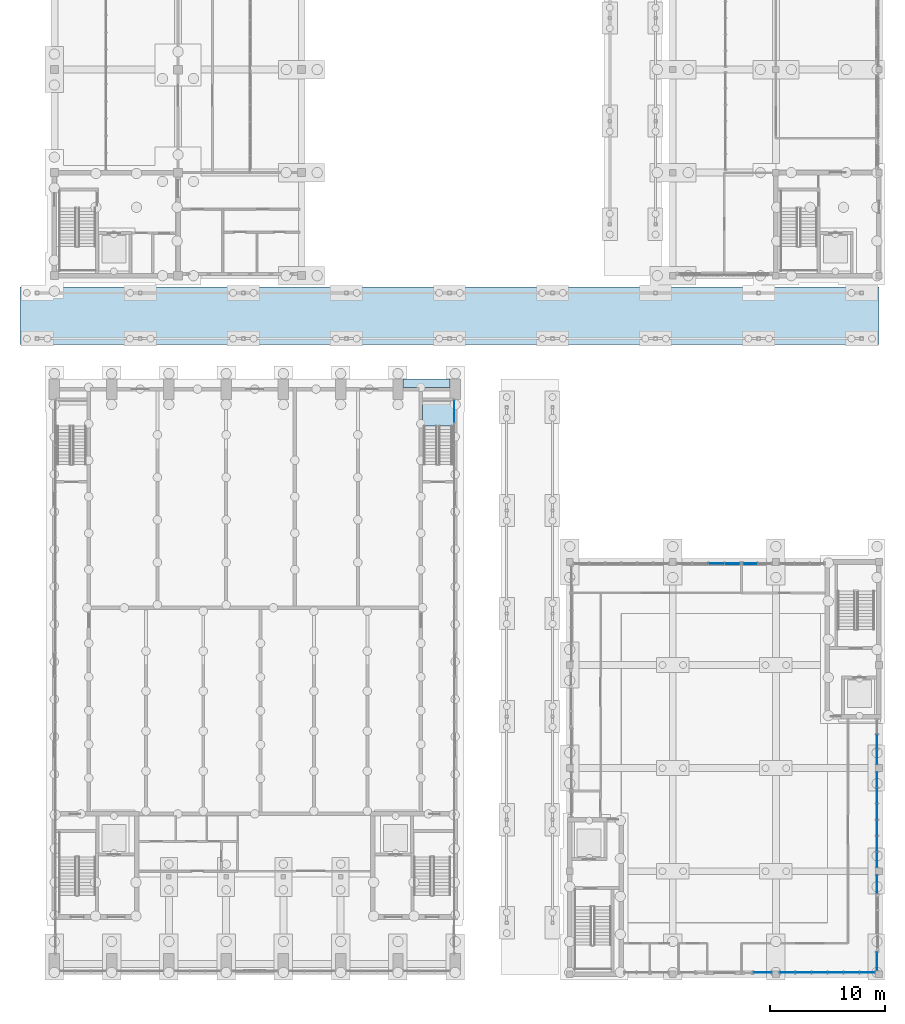
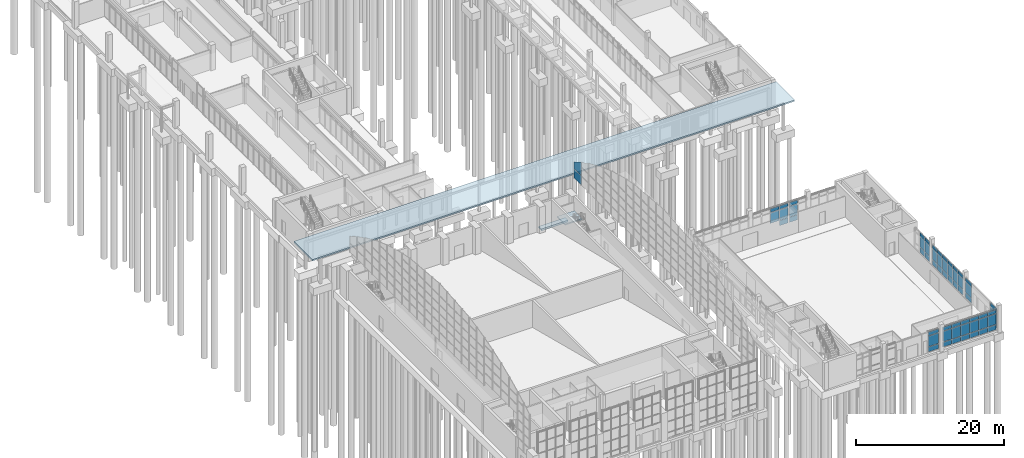
# One storey, part 57 of 106: 61 plates, 3 slabs, 10 elements without a shape of their own.
"""IFC4 building model written with IfcOpenShell, lengths in metres."""

from ifc_helpers import new_model, si_unit, direction, frame, origin, origin_2d, place, context, subcontext, project, spatial, polyline, rectangle, outline, extrude, material, layer, layer_set, type_object, element, aggregate, save


model = new_model("IFC4")

# Units and contexts
model_context = context("Model", 3, precision=1e-05, world=origin(), true_north=direction((0.0, 1.0)))
body_context = subcontext(model_context, "Body", "Model", "MODEL_VIEW")
ifc_project = project(units=[si_unit("LENGTHUNIT", "METRE"), si_unit("AREAUNIT", "SQUARE_METRE"), si_unit("VOLUMEUNIT", "CUBIC_METRE"), si_unit("PLANEANGLEUNIT", "RADIAN"), si_unit("MASSUNIT", "GRAM", prefix="KILO")], contexts=[model_context])

# Site, building, storey
site_placement = place(None, origin())
site = spatial("IfcSite", under=ifc_project, at=site_placement, CompositionType="ELEMENT")
building_placement = place(site_placement, origin())
building = spatial("IfcBuilding", under=site, at=building_placement, Name="Merrow Basin Faculty of Sciences", CompositionType="ELEMENT")
storey_placement = place(building_placement, origin())
storey = spatial("IfcBuildingStorey", under=building, at=storey_placement, Name="L00", CompositionType="ELEMENT", Elevation=0.0)

# Slabs
ifc_material_1 = material(Name="Concrete C40/50", Category="concrete")
ifc_layer_1 = layer(ifc_material_1, 0.219970703125)
ifc_layer_set_1 = layer_set([ifc_layer_1], Name="Canopy slab 220 Concrete C40/50")
slab_type_1 = type_object("IfcSlabType", Name="Canopy slab 220 Concrete C40/50", PredefinedType="ROOF", material=ifc_layer_set_1)
slab_1_placement = place(storey_placement, frame((0.0, 0.0, 4.179931640625)))
element("IfcSlab", 1, at=slab_1_placement, inside=storey, type_object=slab_type_1, Name="SL2 passage canopy P1 L00 002", PredefinedType="ROOF", context=body_context, shape_type="SweptSolid", body=[
    extrude(outline(polyline([(-3.0, 60.0), (72.0, 60.0), (72.0, 55.0), (-3.0, 55.0), (-3.0, 60.0)])), origin(), (0.0, 0.0, 1.0), 0.219970703125),
])
ifc_material_2 = material(Name="Concrete C40/50", Category="concrete")
ifc_layer_2 = layer(ifc_material_2, 0.300048828125)
ifc_layer_set_2 = layer_set([ifc_layer_2], Name="Ground slab 300 Concrete C40/50")
slab_type_2 = type_object("IfcSlabType", Name="Ground slab 300 Concrete C40/50", PredefinedType="BASESLAB", material=ifc_layer_set_2)
slab_2_placement = place(storey_placement, frame((0.0, 0.0, -0.300048828125)))
element("IfcSlab", 2, at=slab_2_placement, inside=storey, type_object=slab_type_2, Name="SL3 ground L00 016", PredefinedType="BASESLAB", context=body_context, shape_type="SweptSolid", body=[
    extrude(outline(polyline([(34.550048828125, 51.25), (32.14990234375, 51.25), (31.85009765625, 51.25), (30.449951171875, 51.25), (30.449951171875, 52.0), (34.550048828125, 52.0), (34.550048828125, 51.25)])), origin(), (0.0, 0.0, 1.0), 0.300048828125),
])

# Curtain wall, plate
ifc_material_3 = material(Name="Aluminium alloy 6063", Category="aluminium")
curtain_wall_type_1 = type_object("IfcCurtainWallType", Name="Atrium concourse curtain wall 300", PredefinedType="NOTDEFINED", material=ifc_material_3)
curtain_wall_1_placement = place(storey_placement, origin())
curtain_wall_1 = element("IfcCurtainWall", 3, at=curtain_wall_1_placement, inside=storey, type_object=curtain_wall_type_1, Name="N curtain wall L00 2", PredefinedType="NOTDEFINED")
ifc_material_4 = material(Name="Insulated aluminium spandrel panel", Category="aluminium")
ifc_layer_3 = layer(ifc_material_4, 0.052001953125)
ifc_layer_set_3 = layer_set([ifc_layer_3], Name="Insulated spandrel panel 52")
plate_type_1 = type_object("IfcPlateType", Name="Insulated spandrel panel 52", PredefinedType="CURTAIN_PANEL", material=ifc_layer_set_3)
plate_1_placement = place(storey_placement, frame((59.206787109375, 35.85009765625, 0.06005859375), z_axis=(0.0, 0.0, 1.0), x_axis=(1.0, 0.0, 0.0)))
plate_1 = element("IfcPlate", 4, at=plate_1_placement, type_object=plate_type_1, Name="CW6 panel 4.1", PredefinedType="CURTAIN_PANEL", context=body_context, shape_type="SweptSolid", body=[
    extrude(rectangle(XDim=1.316162109375, YDim=0.052001953125, at=origin_2d()), origin(), (0.0, 0.0, 1.0), 0.81005859375),
])

curtain_wall_2_placement = place(storey_placement, origin())
curtain_wall_2 = element("IfcCurtainWall", 5, at=curtain_wall_2_placement, inside=storey, type_object=curtain_wall_type_1, Name="N curtain wall L00 3", PredefinedType="NOTDEFINED")
plate_2_placement = place(storey_placement, frame((60.746337890625, 35.85009765625, 0.06005859375), z_axis=(0.0, 0.0, 1.0), x_axis=(1.0, 0.0, 0.0)))
plate_2 = element("IfcPlate", 6, at=plate_2_placement, type_object=plate_type_1, Name="CW6 panel 1.1", PredefinedType="CURTAIN_PANEL", context=body_context, shape_type="SweptSolid", body=[
    extrude(rectangle(XDim=1.222412109375, YDim=0.052001953125, at=origin_2d()), origin(), (0.0, 0.0, 1.0), 0.81005859375),
])

curtain_wall_3_placement = place(storey_placement, origin())
curtain_wall_3 = element("IfcCurtainWall", 7, at=curtain_wall_3_placement, inside=storey, type_object=curtain_wall_type_1, Name="E curtain wall L00 1", PredefinedType="NOTDEFINED")
plate_3_placement = place(storey_placement, frame((71.85009765625, 1.14990234375, 0.06005859375), z_axis=(0.0, 0.0, 1.0), x_axis=(0.0, 1.0, 0.0)))
plate_3 = element("IfcPlate", 8, at=plate_3_placement, type_object=plate_type_1, Name="CW6 panel 1.1", PredefinedType="CURTAIN_PANEL", context=body_context, shape_type="SweptSolid", body=[
    extrude(rectangle(XDim=1.580078125, YDim=0.052001953125, at=origin_2d()), origin(), (0.0, 0.0, 1.0), 0.81005859375),
])

curtain_wall_4_placement = place(storey_placement, origin())
curtain_wall_4 = element("IfcCurtainWall", 9, at=curtain_wall_4_placement, inside=storey, type_object=curtain_wall_type_1, Name="E curtain wall L00 2", PredefinedType="NOTDEFINED")
plate_4_placement = place(storey_placement, frame((71.85009765625, 7.85009765625, 0.06005859375), z_axis=(0.0, 0.0, 1.0), x_axis=(0.0, 1.0, 0.0)))
plate_4 = element("IfcPlate", 10, at=plate_4_placement, type_object=plate_type_1, Name="CW6 panel 1.1", PredefinedType="CURTAIN_PANEL", context=body_context, shape_type="SweptSolid", body=[
    extrude(rectangle(XDim=1.580078125, YDim=0.052001953125, at=origin_2d()), origin(), (0.0, 0.0, 1.0), 0.81005859375),
])

# Curtain wall, plates
curtain_wall_5_placement = place(storey_placement, origin())
curtain_wall_5 = element("IfcCurtainWall", 11, at=curtain_wall_5_placement, inside=storey, type_object=curtain_wall_type_1, Name="E curtain wall L00 3", PredefinedType="NOTDEFINED")
plate_5_placement = place(storey_placement, frame((71.85009765625, 10.014892578125, 0.06005859375), z_axis=(0.0, 0.0, 1.0), x_axis=(0.0, 1.0, 0.0)))
plate_5 = element("IfcPlate", 12, at=plate_5_placement, type_object=plate_type_1, Name="CW6 panel 1.1", PredefinedType="CURTAIN_PANEL", context=body_context, shape_type="SweptSolid", body=[
    extrude(rectangle(XDim=1.31005859375, YDim=0.052001953125, at=origin_2d()), origin(), (0.0, 0.0, 1.0), 0.81005859375),
])
plate_6_placement = place(storey_placement, frame((71.85009765625, 11.39990234375, 0.06005859375), z_axis=(0.0, 0.0, 1.0), x_axis=(0.0, 1.0, 0.0)))
plate_6 = element("IfcPlate", 13, at=plate_6_placement, type_object=plate_type_1, Name="CW6 panel 2.1", PredefinedType="CURTAIN_PANEL", context=body_context, shape_type="SweptSolid", body=[
    extrude(rectangle(XDim=1.340087890625, YDim=0.052001953125, at=origin_2d()), origin(), (0.0, 0.0, 1.0), 0.81005859375),
])
plate_7_placement = place(storey_placement, frame((71.85009765625, 12.800048828125, 0.06005859375), z_axis=(0.0, 0.0, 1.0), x_axis=(0.0, 1.0, 0.0)))
plate_7 = element("IfcPlate", 14, at=plate_7_placement, type_object=plate_type_1, Name="CW6 panel 3.1", PredefinedType="CURTAIN_PANEL", context=body_context, shape_type="SweptSolid", body=[
    extrude(rectangle(XDim=1.340087890625, YDim=0.052001953125, at=origin_2d()), origin(), (0.0, 0.0, 1.0), 0.81005859375),
])
plate_8_placement = place(storey_placement, frame((71.85009765625, 14.199951171875, 0.06005859375), z_axis=(0.0, 0.0, 1.0), x_axis=(0.0, 1.0, 0.0)))
plate_8 = element("IfcPlate", 15, at=plate_8_placement, type_object=plate_type_1, Name="CW6 panel 4.1", PredefinedType="CURTAIN_PANEL", context=body_context, shape_type="SweptSolid", body=[
    extrude(rectangle(XDim=1.340087890625, YDim=0.052001953125, at=origin_2d()), origin(), (0.0, 0.0, 1.0), 0.81005859375),
])
plate_9_placement = place(storey_placement, frame((71.85009765625, 15.60009765625, 0.06005859375), z_axis=(0.0, 0.0, 1.0), x_axis=(0.0, 1.0, 0.0)))
plate_9 = element("IfcPlate", 16, at=plate_9_placement, type_object=plate_type_1, Name="CW6 panel 5.1", PredefinedType="CURTAIN_PANEL", context=body_context, shape_type="SweptSolid", body=[
    extrude(rectangle(XDim=1.340087890625, YDim=0.052001953125, at=origin_2d()), origin(), (0.0, 0.0, 1.0), 0.81005859375),
])
plate_10_placement = place(storey_placement, frame((71.85009765625, 16.985107421875, 0.06005859375), z_axis=(0.0, 0.0, 1.0), x_axis=(0.0, 1.0, 0.0)))
plate_10 = element("IfcPlate", 17, at=plate_10_placement, type_object=plate_type_1, Name="CW6 panel 6.1", PredefinedType="CURTAIN_PANEL", context=body_context, shape_type="SweptSolid", body=[
    extrude(rectangle(XDim=1.31005859375, YDim=0.052001953125, at=origin_2d()), origin(), (0.0, 0.0, 1.0), 0.81005859375),
])

curtain_wall_6_placement = place(storey_placement, origin())
curtain_wall_6 = element("IfcCurtainWall", 18, at=curtain_wall_6_placement, inside=storey, type_object=curtain_wall_type_1, Name="E curtain wall L00 4", PredefinedType="NOTDEFINED")
plate_11_placement = place(storey_placement, frame((71.85009765625, 18.981689453125, 0.06005859375), z_axis=(0.0, 0.0, 1.0), x_axis=(0.0, 1.0, 0.0)))
plate_11 = element("IfcPlate", 19, at=plate_11_placement, type_object=plate_type_1, Name="CW6 panel 1.1", PredefinedType="CURTAIN_PANEL", context=body_context, shape_type="SweptSolid", body=[
    extrude(rectangle(XDim=1.243408203125, YDim=0.052001953125, at=origin_2d()), origin(), (0.0, 0.0, 1.0), 0.81005859375),
])
plate_12_placement = place(storey_placement, frame((71.85009765625, 20.300048828125, 0.06005859375), z_axis=(0.0, 0.0, 1.0), x_axis=(0.0, 1.0, 0.0)))
plate_12 = element("IfcPlate", 20, at=plate_12_placement, type_object=plate_type_1, Name="CW6 panel 2.1", PredefinedType="CURTAIN_PANEL", context=body_context, shape_type="SweptSolid", body=[
    extrude(rectangle(XDim=1.2734375, YDim=0.052001953125, at=origin_2d()), origin(), (0.0, 0.0, 1.0), 0.81005859375),
])

# Curtain wall, plate
curtain_wall_7_placement = place(storey_placement, origin())
curtain_wall_7 = element("IfcCurtainWall", 21, at=curtain_wall_7_placement, inside=storey, type_object=curtain_wall_type_1, Name="S curtain wall L00 4", PredefinedType="NOTDEFINED")
plate_13_placement = place(storey_placement, frame((61.85009765625, 0.14990234375, 0.06005859375), z_axis=(0.0, 0.0, 1.0), x_axis=(1.0, 0.0, 0.0)))
plate_13 = element("IfcPlate", 22, at=plate_13_placement, type_object=plate_type_1, Name="CW6 panel 1.1", PredefinedType="CURTAIN_PANEL", context=body_context, shape_type="SweptSolid", body=[
    extrude(rectangle(XDim=1.580078125, YDim=0.052001953125, at=origin_2d()), origin(), (0.0, 0.0, 1.0), 0.81005859375),
])

# Curtain wall, plates
curtain_wall_8_placement = place(storey_placement, origin())
curtain_wall_8 = element("IfcCurtainWall", 23, at=curtain_wall_8_placement, inside=storey, type_object=curtain_wall_type_1, Name="S curtain wall L00 5", PredefinedType="NOTDEFINED")
plate_14_placement = place(storey_placement, frame((64.014892578125, 0.14990234375, 0.06005859375), z_axis=(0.0, 0.0, 1.0), x_axis=(1.0, 0.0, 0.0)))
plate_14 = element("IfcPlate", 24, at=plate_14_placement, type_object=plate_type_1, Name="CW6 panel 1.1", PredefinedType="CURTAIN_PANEL", context=body_context, shape_type="SweptSolid", body=[
    extrude(rectangle(XDim=1.31005859375, YDim=0.052001953125, at=origin_2d()), origin(), (0.0, 0.0, 1.0), 0.81005859375),
])
plate_15_placement = place(storey_placement, frame((65.39990234375, 0.14990234375, 0.06005859375), z_axis=(0.0, 0.0, 1.0), x_axis=(1.0, 0.0, 0.0)))
plate_15 = element("IfcPlate", 25, at=plate_15_placement, type_object=plate_type_1, Name="CW6 panel 2.1", PredefinedType="CURTAIN_PANEL", context=body_context, shape_type="SweptSolid", body=[
    extrude(rectangle(XDim=1.340087890625, YDim=0.052001953125, at=origin_2d()), origin(), (0.0, 0.0, 1.0), 0.81005859375),
])
plate_16_placement = place(storey_placement, frame((66.800048828125, 0.14990234375, 0.06005859375), z_axis=(0.0, 0.0, 1.0), x_axis=(1.0, 0.0, 0.0)))
plate_16 = element("IfcPlate", 26, at=plate_16_placement, type_object=plate_type_1, Name="CW6 panel 3.1", PredefinedType="CURTAIN_PANEL", context=body_context, shape_type="SweptSolid", body=[
    extrude(rectangle(XDim=1.340087890625, YDim=0.052001953125, at=origin_2d()), origin(), (0.0, 0.0, 1.0), 0.81005859375),
])
plate_17_placement = place(storey_placement, frame((68.199951171875, 0.14990234375, 0.06005859375), z_axis=(0.0, 0.0, 1.0), x_axis=(1.0, 0.0, 0.0)))
plate_17 = element("IfcPlate", 27, at=plate_17_placement, type_object=plate_type_1, Name="CW6 panel 4.1", PredefinedType="CURTAIN_PANEL", context=body_context, shape_type="SweptSolid", body=[
    extrude(rectangle(XDim=1.340087890625, YDim=0.052001953125, at=origin_2d()), origin(), (0.0, 0.0, 1.0), 0.81005859375),
])
plate_18_placement = place(storey_placement, frame((69.60009765625, 0.14990234375, 0.06005859375), z_axis=(0.0, 0.0, 1.0), x_axis=(1.0, 0.0, 0.0)))
plate_18 = element("IfcPlate", 28, at=plate_18_placement, type_object=plate_type_1, Name="CW6 panel 5.1", PredefinedType="CURTAIN_PANEL", context=body_context, shape_type="SweptSolid", body=[
    extrude(rectangle(XDim=1.340087890625, YDim=0.052001953125, at=origin_2d()), origin(), (0.0, 0.0, 1.0), 0.81005859375),
])
plate_19_placement = place(storey_placement, frame((70.985107421875, 0.14990234375, 0.06005859375), z_axis=(0.0, 0.0, 1.0), x_axis=(1.0, 0.0, 0.0)))
plate_19 = element("IfcPlate", 29, at=plate_19_placement, type_object=plate_type_1, Name="CW6 panel 6.1", PredefinedType="CURTAIN_PANEL", context=body_context, shape_type="SweptSolid", body=[
    extrude(rectangle(XDim=1.31005859375, YDim=0.052001953125, at=origin_2d()), origin(), (0.0, 0.0, 1.0), 0.81005859375),
])

ifc_material_5 = material(Name="Aluminium alloy 6063", Category="aluminium")
curtain_wall_type_2 = type_object("IfcCurtainWallType", Name="Arched curtain wall 160", PredefinedType="NOTDEFINED", material=ifc_material_5)
curtain_wall_9_placement = place(storey_placement, origin())
curtain_wall_9 = element("IfcCurtainWall", 30, at=curtain_wall_9_placement, inside=storey, type_object=curtain_wall_type_2, Name="East gable glazing C", PredefinedType="NOTDEFINED")
ifc_material_6 = material(Name="Laminated safety glass", Category="glass")
ifc_layer_4 = layer(ifc_material_6, 0.0400390625)
ifc_layer_set_4 = layer_set([ifc_layer_4], Name="Laminated overhead glazing panel 40")
plate_type_2 = type_object("IfcPlateType", Name="Laminated overhead glazing panel 40", PredefinedType="CURTAIN_PANEL", material=ifc_layer_set_4)
plate_20_placement = place(storey_placement, frame((34.89990234375, 48.218994140625, 7.5), z_axis=(1.0, 0.0, 0.0), x_axis=(0.0, 1.0, 0.0)))
plate_20 = element("IfcPlate", 31, at=plate_20_placement, type_object=plate_type_2, Name="CW4 panel 18.1", PredefinedType="CURTAIN_PANEL", context=body_context, shape_type="SweptSolid", body=[
    extrude(outline(polyline([(0.0, 0.0), (1.919921875, 0.0), (1.919921875, 1.469970703125), (0.0, 1.469970703125), (0.0, 0.0)])), origin(), (0.0, 0.0, 1.0), 0.0400390625),
])
plate_21_placement = place(storey_placement, frame((34.89990234375, 48.218994140625, 9.030029296875), z_axis=(1.0, 0.0, 0.0), x_axis=(0.0, 1.0, 0.0)))
plate_21 = element("IfcPlate", 32, at=plate_21_placement, type_object=plate_type_2, Name="CW4 panel 18.top", PredefinedType="CURTAIN_PANEL", context=body_context, shape_type="SweptSolid", body=[
    extrude(outline(polyline([(0.0, 0.0), (1.9208984375, 0.0), (1.9208984375, 1.077880859375), (0.70703125, 1.833984375), (0.0, 2.2041015625), (0.0, 0.0)])), origin(), (0.0, 0.0, 1.0), 0.0400390625),
])
aggregate(curtain_wall_9, [plate_20, plate_21])

# Stair, slab
ifc_material_7 = material(Name="Concrete C40/50", Category="concrete")
stair_type = type_object("IfcStairType", Name="Concrete dog-leg stair 1150 Concrete C40/50", PredefinedType="HALF_TURN_STAIR", material=ifc_material_7)
stair_placement = place(storey_placement, origin())
stair = element("IfcStair", 33, at=stair_placement, inside=storey, type_object=stair_type, Name="L00 Exit stair NE", PredefinedType="HALF_TURN_STAIR")
ifc_material_8 = material(Name="Concrete C40/50", Category="concrete")
ifc_layer_5 = layer(ifc_material_8, 0.199951171875)
ifc_layer_set_5 = layer_set([ifc_layer_5], Name="Stair landing 200 Concrete C40/50")
slab_type_3 = type_object("IfcSlabType", Name="Stair landing 200 Concrete C40/50", PredefinedType="LANDING", material=ifc_layer_set_5)
slab_3_placement = place(storey_placement, frame((0.0, 0.0, 2.050048828125)))
slab_3 = element("IfcSlab", 34, at=slab_3_placement, type_object=slab_type_3, Name="ST-V1-NE landing 1", PredefinedType="LANDING", context=body_context, shape_type="SweptSolid", body=[
    extrude(outline(polyline([(32.14990234375, 47.860107421875), (34.85009765625, 47.860107421875), (34.85009765625, 50.0), (32.14990234375, 50.0), (32.14990234375, 47.860107421875)])), origin(), (0.0, 0.0, 1.0), 0.199951171875),
])
aggregate(stair, [slab_3])

# Plate
ifc_material_9 = material(Name="Low-E triple glazing", Category="glass")
ifc_layer_6 = layer(ifc_material_9, 0.0439453125)
ifc_layer_set_6 = layer_set([ifc_layer_6], Name="Triple glazed panel 44")
plate_type_3 = type_object("IfcPlateType", Name="Triple glazed panel 44", PredefinedType="CURTAIN_PANEL", material=ifc_layer_set_6)
plate_22_placement = place(storey_placement, frame((57.815673828125, 35.85009765625, 0.93017578125), z_axis=(0.0, 0.0, 1.0), x_axis=(1.0, 0.0, 0.0)))
plate_22 = element("IfcPlate", 35, at=plate_22_placement, type_object=plate_type_3, Name="CW6 panel 3.2", PredefinedType="CURTAIN_PANEL", context=body_context, shape_type="SweptSolid", body=[
    extrude(rectangle(XDim=1.34619140625, YDim=0.0439453125, at=origin_2d()), origin(), (0.0, 0.0, 1.0), 1.739990234375),
])

plate_23_placement = place(storey_placement, frame((57.815673828125, 35.85009765625, 2.72998046875), z_axis=(0.0, 0.0, 1.0), x_axis=(1.0, 0.0, 0.0)))
plate_23 = element("IfcPlate", 36, at=plate_23_placement, type_object=plate_type_3, Name="CW6 panel 3.3", PredefinedType="CURTAIN_PANEL", context=body_context, shape_type="SweptSolid", body=[
    extrude(rectangle(XDim=1.34619140625, YDim=0.0439453125, at=origin_2d()), origin(), (0.0, 0.0, 1.0), 0.610107421875),
])

plate_24_placement = place(storey_placement, frame((59.206787109375, 35.85009765625, 0.93017578125), z_axis=(0.0, 0.0, 1.0), x_axis=(1.0, 0.0, 0.0)))
plate_24 = element("IfcPlate", 37, at=plate_24_placement, type_object=plate_type_3, Name="CW6 panel 4.2", PredefinedType="CURTAIN_PANEL", context=body_context, shape_type="SweptSolid", body=[
    extrude(rectangle(XDim=1.316162109375, YDim=0.0439453125, at=origin_2d()), origin(), (0.0, 0.0, 1.0), 1.739990234375),
])

plate_25_placement = place(storey_placement, frame((59.206787109375, 35.85009765625, 2.72998046875), z_axis=(0.0, 0.0, 1.0), x_axis=(1.0, 0.0, 0.0)))
plate_25 = element("IfcPlate", 38, at=plate_25_placement, type_object=plate_type_3, Name="CW6 panel 4.3", PredefinedType="CURTAIN_PANEL", context=body_context, shape_type="SweptSolid", body=[
    extrude(rectangle(XDim=1.316162109375, YDim=0.0439453125, at=origin_2d()), origin(), (0.0, 0.0, 1.0), 0.610107421875),
])

aggregate(curtain_wall_1, [plate_22, plate_23, plate_1, plate_24, plate_25])

plate_26_placement = place(storey_placement, frame((60.746337890625, 35.85009765625, 0.93017578125), z_axis=(0.0, 0.0, 1.0), x_axis=(1.0, 0.0, 0.0)))
plate_26 = element("IfcPlate", 39, at=plate_26_placement, type_object=plate_type_3, Name="CW6 panel 1.2", PredefinedType="CURTAIN_PANEL", context=body_context, shape_type="SweptSolid", body=[
    extrude(rectangle(XDim=1.222412109375, YDim=0.0439453125, at=origin_2d()), origin(), (0.0, 0.0, 1.0), 1.739990234375),
])

plate_27_placement = place(storey_placement, frame((60.746337890625, 35.85009765625, 2.72998046875), z_axis=(0.0, 0.0, 1.0), x_axis=(1.0, 0.0, 0.0)))
plate_27 = element("IfcPlate", 40, at=plate_27_placement, type_object=plate_type_3, Name="CW6 panel 1.3", PredefinedType="CURTAIN_PANEL", context=body_context, shape_type="SweptSolid", body=[
    extrude(rectangle(XDim=1.222412109375, YDim=0.0439453125, at=origin_2d()), origin(), (0.0, 0.0, 1.0), 0.610107421875),
])

aggregate(curtain_wall_2, [plate_2, plate_26, plate_27])

plate_28_placement = place(storey_placement, frame((71.85009765625, 1.14990234375, 0.93017578125), z_axis=(0.0, 0.0, 1.0), x_axis=(0.0, 1.0, 0.0)))
plate_28 = element("IfcPlate", 41, at=plate_28_placement, type_object=plate_type_3, Name="CW6 panel 1.2", PredefinedType="CURTAIN_PANEL", context=body_context, shape_type="SweptSolid", body=[
    extrude(rectangle(XDim=1.580078125, YDim=0.0439453125, at=origin_2d()), origin(), (0.0, 0.0, 1.0), 1.739990234375),
])

plate_29_placement = place(storey_placement, frame((71.85009765625, 1.14990234375, 2.72998046875), z_axis=(0.0, 0.0, 1.0), x_axis=(0.0, 1.0, 0.0)))
plate_29 = element("IfcPlate", 42, at=plate_29_placement, type_object=plate_type_3, Name="CW6 panel 1.3", PredefinedType="CURTAIN_PANEL", context=body_context, shape_type="SweptSolid", body=[
    extrude(rectangle(XDim=1.580078125, YDim=0.0439453125, at=origin_2d()), origin(), (0.0, 0.0, 1.0), 0.610107421875),
])

aggregate(curtain_wall_3, [plate_3, plate_28, plate_29])

plate_30_placement = place(storey_placement, frame((71.85009765625, 7.85009765625, 0.93017578125), z_axis=(0.0, 0.0, 1.0), x_axis=(0.0, 1.0, 0.0)))
plate_30 = element("IfcPlate", 43, at=plate_30_placement, type_object=plate_type_3, Name="CW6 panel 1.2", PredefinedType="CURTAIN_PANEL", context=body_context, shape_type="SweptSolid", body=[
    extrude(rectangle(XDim=1.580078125, YDim=0.0439453125, at=origin_2d()), origin(), (0.0, 0.0, 1.0), 1.739990234375),
])

plate_31_placement = place(storey_placement, frame((71.85009765625, 7.85009765625, 2.72998046875), z_axis=(0.0, 0.0, 1.0), x_axis=(0.0, 1.0, 0.0)))
plate_31 = element("IfcPlate", 44, at=plate_31_placement, type_object=plate_type_3, Name="CW6 panel 1.3", PredefinedType="CURTAIN_PANEL", context=body_context, shape_type="SweptSolid", body=[
    extrude(rectangle(XDim=1.580078125, YDim=0.0439453125, at=origin_2d()), origin(), (0.0, 0.0, 1.0), 0.610107421875),
])

aggregate(curtain_wall_4, [plate_4, plate_30, plate_31])

plate_32_placement = place(storey_placement, frame((71.85009765625, 10.014892578125, 0.93017578125), z_axis=(0.0, 0.0, 1.0), x_axis=(0.0, 1.0, 0.0)))
plate_32 = element("IfcPlate", 45, at=plate_32_placement, type_object=plate_type_3, Name="CW6 panel 1.2", PredefinedType="CURTAIN_PANEL", context=body_context, shape_type="SweptSolid", body=[
    extrude(rectangle(XDim=1.31005859375, YDim=0.0439453125, at=origin_2d()), origin(), (0.0, 0.0, 1.0), 1.739990234375),
])

plate_33_placement = place(storey_placement, frame((71.85009765625, 10.014892578125, 2.72998046875), z_axis=(0.0, 0.0, 1.0), x_axis=(0.0, 1.0, 0.0)))
plate_33 = element("IfcPlate", 46, at=plate_33_placement, type_object=plate_type_3, Name="CW6 panel 1.3", PredefinedType="CURTAIN_PANEL", context=body_context, shape_type="SweptSolid", body=[
    extrude(rectangle(XDim=1.31005859375, YDim=0.0439453125, at=origin_2d()), origin(), (0.0, 0.0, 1.0), 0.610107421875),
])

plate_34_placement = place(storey_placement, frame((71.85009765625, 11.39990234375, 0.93017578125), z_axis=(0.0, 0.0, 1.0), x_axis=(0.0, 1.0, 0.0)))
plate_34 = element("IfcPlate", 47, at=plate_34_placement, type_object=plate_type_3, Name="CW6 panel 2.2", PredefinedType="CURTAIN_PANEL", context=body_context, shape_type="SweptSolid", body=[
    extrude(rectangle(XDim=1.340087890625, YDim=0.0439453125, at=origin_2d()), origin(), (0.0, 0.0, 1.0), 1.739990234375),
])

plate_35_placement = place(storey_placement, frame((71.85009765625, 11.39990234375, 2.72998046875), z_axis=(0.0, 0.0, 1.0), x_axis=(0.0, 1.0, 0.0)))
plate_35 = element("IfcPlate", 48, at=plate_35_placement, type_object=plate_type_3, Name="CW6 panel 2.3", PredefinedType="CURTAIN_PANEL", context=body_context, shape_type="SweptSolid", body=[
    extrude(rectangle(XDim=1.340087890625, YDim=0.0439453125, at=origin_2d()), origin(), (0.0, 0.0, 1.0), 0.610107421875),
])

plate_36_placement = place(storey_placement, frame((71.85009765625, 12.800048828125, 0.93017578125), z_axis=(0.0, 0.0, 1.0), x_axis=(0.0, 1.0, 0.0)))
plate_36 = element("IfcPlate", 49, at=plate_36_placement, type_object=plate_type_3, Name="CW6 panel 3.2", PredefinedType="CURTAIN_PANEL", context=body_context, shape_type="SweptSolid", body=[
    extrude(rectangle(XDim=1.340087890625, YDim=0.0439453125, at=origin_2d()), origin(), (0.0, 0.0, 1.0), 1.739990234375),
])

plate_37_placement = place(storey_placement, frame((71.85009765625, 12.800048828125, 2.72998046875), z_axis=(0.0, 0.0, 1.0), x_axis=(0.0, 1.0, 0.0)))
plate_37 = element("IfcPlate", 50, at=plate_37_placement, type_object=plate_type_3, Name="CW6 panel 3.3", PredefinedType="CURTAIN_PANEL", context=body_context, shape_type="SweptSolid", body=[
    extrude(rectangle(XDim=1.340087890625, YDim=0.0439453125, at=origin_2d()), origin(), (0.0, 0.0, 1.0), 0.610107421875),
])

plate_38_placement = place(storey_placement, frame((71.85009765625, 14.199951171875, 0.93017578125), z_axis=(0.0, 0.0, 1.0), x_axis=(0.0, 1.0, 0.0)))
plate_38 = element("IfcPlate", 51, at=plate_38_placement, type_object=plate_type_3, Name="CW6 panel 4.2", PredefinedType="CURTAIN_PANEL", context=body_context, shape_type="SweptSolid", body=[
    extrude(rectangle(XDim=1.340087890625, YDim=0.0439453125, at=origin_2d()), origin(), (0.0, 0.0, 1.0), 1.739990234375),
])

plate_39_placement = place(storey_placement, frame((71.85009765625, 14.199951171875, 2.72998046875), z_axis=(0.0, 0.0, 1.0), x_axis=(0.0, 1.0, 0.0)))
plate_39 = element("IfcPlate", 52, at=plate_39_placement, type_object=plate_type_3, Name="CW6 panel 4.3", PredefinedType="CURTAIN_PANEL", context=body_context, shape_type="SweptSolid", body=[
    extrude(rectangle(XDim=1.340087890625, YDim=0.0439453125, at=origin_2d()), origin(), (0.0, 0.0, 1.0), 0.610107421875),
])

plate_40_placement = place(storey_placement, frame((71.85009765625, 15.60009765625, 0.93017578125), z_axis=(0.0, 0.0, 1.0), x_axis=(0.0, 1.0, 0.0)))
plate_40 = element("IfcPlate", 53, at=plate_40_placement, type_object=plate_type_3, Name="CW6 panel 5.2", PredefinedType="CURTAIN_PANEL", context=body_context, shape_type="SweptSolid", body=[
    extrude(rectangle(XDim=1.340087890625, YDim=0.0439453125, at=origin_2d()), origin(), (0.0, 0.0, 1.0), 1.739990234375),
])

plate_41_placement = place(storey_placement, frame((71.85009765625, 15.60009765625, 2.72998046875), z_axis=(0.0, 0.0, 1.0), x_axis=(0.0, 1.0, 0.0)))
plate_41 = element("IfcPlate", 54, at=plate_41_placement, type_object=plate_type_3, Name="CW6 panel 5.3", PredefinedType="CURTAIN_PANEL", context=body_context, shape_type="SweptSolid", body=[
    extrude(rectangle(XDim=1.340087890625, YDim=0.0439453125, at=origin_2d()), origin(), (0.0, 0.0, 1.0), 0.610107421875),
])

plate_42_placement = place(storey_placement, frame((71.85009765625, 16.985107421875, 0.93017578125), z_axis=(0.0, 0.0, 1.0), x_axis=(0.0, 1.0, 0.0)))
plate_42 = element("IfcPlate", 55, at=plate_42_placement, type_object=plate_type_3, Name="CW6 panel 6.2", PredefinedType="CURTAIN_PANEL", context=body_context, shape_type="SweptSolid", body=[
    extrude(rectangle(XDim=1.31005859375, YDim=0.0439453125, at=origin_2d()), origin(), (0.0, 0.0, 1.0), 1.739990234375),
])

plate_43_placement = place(storey_placement, frame((71.85009765625, 16.985107421875, 2.72998046875), z_axis=(0.0, 0.0, 1.0), x_axis=(0.0, 1.0, 0.0)))
plate_43 = element("IfcPlate", 56, at=plate_43_placement, type_object=plate_type_3, Name="CW6 panel 6.3", PredefinedType="CURTAIN_PANEL", context=body_context, shape_type="SweptSolid", body=[
    extrude(rectangle(XDim=1.31005859375, YDim=0.0439453125, at=origin_2d()), origin(), (0.0, 0.0, 1.0), 0.610107421875),
])

aggregate(curtain_wall_5, [plate_5, plate_32, plate_33, plate_6, plate_34, plate_35, plate_7, plate_36, plate_37, plate_8, plate_38, plate_39, plate_9, plate_40, plate_41, plate_10, plate_42, plate_43])

plate_44_placement = place(storey_placement, frame((71.85009765625, 18.981689453125, 0.93017578125), z_axis=(0.0, 0.0, 1.0), x_axis=(0.0, 1.0, 0.0)))
plate_44 = element("IfcPlate", 57, at=plate_44_placement, type_object=plate_type_3, Name="CW6 panel 1.2", PredefinedType="CURTAIN_PANEL", context=body_context, shape_type="SweptSolid", body=[
    extrude(rectangle(XDim=1.243408203125, YDim=0.0439453125, at=origin_2d()), origin(), (0.0, 0.0, 1.0), 1.739990234375),
])

plate_45_placement = place(storey_placement, frame((71.85009765625, 18.981689453125, 2.72998046875), z_axis=(0.0, 0.0, 1.0), x_axis=(0.0, 1.0, 0.0)))
plate_45 = element("IfcPlate", 58, at=plate_45_placement, type_object=plate_type_3, Name="CW6 panel 1.3", PredefinedType="CURTAIN_PANEL", context=body_context, shape_type="SweptSolid", body=[
    extrude(rectangle(XDim=1.243408203125, YDim=0.0439453125, at=origin_2d()), origin(), (0.0, 0.0, 1.0), 0.610107421875),
])

plate_46_placement = place(storey_placement, frame((71.85009765625, 20.300048828125, 0.93017578125), z_axis=(0.0, 0.0, 1.0), x_axis=(0.0, 1.0, 0.0)))
plate_46 = element("IfcPlate", 59, at=plate_46_placement, type_object=plate_type_3, Name="CW6 panel 2.2", PredefinedType="CURTAIN_PANEL", context=body_context, shape_type="SweptSolid", body=[
    extrude(rectangle(XDim=1.2734375, YDim=0.0439453125, at=origin_2d()), origin(), (0.0, 0.0, 1.0), 1.739990234375),
])

plate_47_placement = place(storey_placement, frame((71.85009765625, 20.300048828125, 2.72998046875), z_axis=(0.0, 0.0, 1.0), x_axis=(0.0, 1.0, 0.0)))
plate_47 = element("IfcPlate", 60, at=plate_47_placement, type_object=plate_type_3, Name="CW6 panel 2.3", PredefinedType="CURTAIN_PANEL", context=body_context, shape_type="SweptSolid", body=[
    extrude(rectangle(XDim=1.2734375, YDim=0.0439453125, at=origin_2d()), origin(), (0.0, 0.0, 1.0), 0.610107421875),
])

aggregate(curtain_wall_6, [plate_11, plate_44, plate_45, plate_12, plate_46, plate_47])

plate_48_placement = place(storey_placement, frame((61.85009765625, 0.14990234375, 0.93017578125), z_axis=(0.0, 0.0, 1.0), x_axis=(1.0, 0.0, 0.0)))
plate_48 = element("IfcPlate", 61, at=plate_48_placement, type_object=plate_type_3, Name="CW6 panel 1.2", PredefinedType="CURTAIN_PANEL", context=body_context, shape_type="SweptSolid", body=[
    extrude(rectangle(XDim=1.580078125, YDim=0.0439453125, at=origin_2d()), origin(), (0.0, 0.0, 1.0), 1.739990234375),
])

plate_49_placement = place(storey_placement, frame((61.85009765625, 0.14990234375, 2.72998046875), z_axis=(0.0, 0.0, 1.0), x_axis=(1.0, 0.0, 0.0)))
plate_49 = element("IfcPlate", 62, at=plate_49_placement, type_object=plate_type_3, Name="CW6 panel 1.3", PredefinedType="CURTAIN_PANEL", context=body_context, shape_type="SweptSolid", body=[
    extrude(rectangle(XDim=1.580078125, YDim=0.0439453125, at=origin_2d()), origin(), (0.0, 0.0, 1.0), 0.610107421875),
])

aggregate(curtain_wall_7, [plate_13, plate_48, plate_49])

plate_50_placement = place(storey_placement, frame((64.014892578125, 0.14990234375, 0.93017578125), z_axis=(0.0, 0.0, 1.0), x_axis=(1.0, 0.0, 0.0)))
plate_50 = element("IfcPlate", 63, at=plate_50_placement, type_object=plate_type_3, Name="CW6 panel 1.2", PredefinedType="CURTAIN_PANEL", context=body_context, shape_type="SweptSolid", body=[
    extrude(rectangle(XDim=1.31005859375, YDim=0.0439453125, at=origin_2d()), origin(), (0.0, 0.0, 1.0), 1.739990234375),
])

plate_51_placement = place(storey_placement, frame((64.014892578125, 0.14990234375, 2.72998046875), z_axis=(0.0, 0.0, 1.0), x_axis=(1.0, 0.0, 0.0)))
plate_51 = element("IfcPlate", 64, at=plate_51_placement, type_object=plate_type_3, Name="CW6 panel 1.3", PredefinedType="CURTAIN_PANEL", context=body_context, shape_type="SweptSolid", body=[
    extrude(rectangle(XDim=1.31005859375, YDim=0.0439453125, at=origin_2d()), origin(), (0.0, 0.0, 1.0), 0.610107421875),
])

plate_52_placement = place(storey_placement, frame((65.39990234375, 0.14990234375, 0.93017578125), z_axis=(0.0, 0.0, 1.0), x_axis=(1.0, 0.0, 0.0)))
plate_52 = element("IfcPlate", 65, at=plate_52_placement, type_object=plate_type_3, Name="CW6 panel 2.2", PredefinedType="CURTAIN_PANEL", context=body_context, shape_type="SweptSolid", body=[
    extrude(rectangle(XDim=1.340087890625, YDim=0.0439453125, at=origin_2d()), origin(), (0.0, 0.0, 1.0), 1.739990234375),
])

plate_53_placement = place(storey_placement, frame((65.39990234375, 0.14990234375, 2.72998046875), z_axis=(0.0, 0.0, 1.0), x_axis=(1.0, 0.0, 0.0)))
plate_53 = element("IfcPlate", 66, at=plate_53_placement, type_object=plate_type_3, Name="CW6 panel 2.3", PredefinedType="CURTAIN_PANEL", context=body_context, shape_type="SweptSolid", body=[
    extrude(rectangle(XDim=1.340087890625, YDim=0.0439453125, at=origin_2d()), origin(), (0.0, 0.0, 1.0), 0.610107421875),
])

plate_54_placement = place(storey_placement, frame((66.800048828125, 0.14990234375, 0.93017578125), z_axis=(0.0, 0.0, 1.0), x_axis=(1.0, 0.0, 0.0)))
plate_54 = element("IfcPlate", 67, at=plate_54_placement, type_object=plate_type_3, Name="CW6 panel 3.2", PredefinedType="CURTAIN_PANEL", context=body_context, shape_type="SweptSolid", body=[
    extrude(rectangle(XDim=1.340087890625, YDim=0.0439453125, at=origin_2d()), origin(), (0.0, 0.0, 1.0), 1.739990234375),
])

plate_55_placement = place(storey_placement, frame((66.800048828125, 0.14990234375, 2.72998046875), z_axis=(0.0, 0.0, 1.0), x_axis=(1.0, 0.0, 0.0)))
plate_55 = element("IfcPlate", 68, at=plate_55_placement, type_object=plate_type_3, Name="CW6 panel 3.3", PredefinedType="CURTAIN_PANEL", context=body_context, shape_type="SweptSolid", body=[
    extrude(rectangle(XDim=1.340087890625, YDim=0.0439453125, at=origin_2d()), origin(), (0.0, 0.0, 1.0), 0.610107421875),
])

plate_56_placement = place(storey_placement, frame((68.199951171875, 0.14990234375, 0.93017578125), z_axis=(0.0, 0.0, 1.0), x_axis=(1.0, 0.0, 0.0)))
plate_56 = element("IfcPlate", 69, at=plate_56_placement, type_object=plate_type_3, Name="CW6 panel 4.2", PredefinedType="CURTAIN_PANEL", context=body_context, shape_type="SweptSolid", body=[
    extrude(rectangle(XDim=1.340087890625, YDim=0.0439453125, at=origin_2d()), origin(), (0.0, 0.0, 1.0), 1.739990234375),
])

plate_57_placement = place(storey_placement, frame((68.199951171875, 0.14990234375, 2.72998046875), z_axis=(0.0, 0.0, 1.0), x_axis=(1.0, 0.0, 0.0)))
plate_57 = element("IfcPlate", 70, at=plate_57_placement, type_object=plate_type_3, Name="CW6 panel 4.3", PredefinedType="CURTAIN_PANEL", context=body_context, shape_type="SweptSolid", body=[
    extrude(rectangle(XDim=1.340087890625, YDim=0.0439453125, at=origin_2d()), origin(), (0.0, 0.0, 1.0), 0.610107421875),
])

plate_58_placement = place(storey_placement, frame((69.60009765625, 0.14990234375, 0.93017578125), z_axis=(0.0, 0.0, 1.0), x_axis=(1.0, 0.0, 0.0)))
plate_58 = element("IfcPlate", 71, at=plate_58_placement, type_object=plate_type_3, Name="CW6 panel 5.2", PredefinedType="CURTAIN_PANEL", context=body_context, shape_type="SweptSolid", body=[
    extrude(rectangle(XDim=1.340087890625, YDim=0.0439453125, at=origin_2d()), origin(), (0.0, 0.0, 1.0), 1.739990234375),
])

plate_59_placement = place(storey_placement, frame((69.60009765625, 0.14990234375, 2.72998046875), z_axis=(0.0, 0.0, 1.0), x_axis=(1.0, 0.0, 0.0)))
plate_59 = element("IfcPlate", 72, at=plate_59_placement, type_object=plate_type_3, Name="CW6 panel 5.3", PredefinedType="CURTAIN_PANEL", context=body_context, shape_type="SweptSolid", body=[
    extrude(rectangle(XDim=1.340087890625, YDim=0.0439453125, at=origin_2d()), origin(), (0.0, 0.0, 1.0), 0.610107421875),
])

plate_60_placement = place(storey_placement, frame((70.985107421875, 0.14990234375, 0.93017578125), z_axis=(0.0, 0.0, 1.0), x_axis=(1.0, 0.0, 0.0)))
plate_60 = element("IfcPlate", 73, at=plate_60_placement, type_object=plate_type_3, Name="CW6 panel 6.2", PredefinedType="CURTAIN_PANEL", context=body_context, shape_type="SweptSolid", body=[
    extrude(rectangle(XDim=1.31005859375, YDim=0.0439453125, at=origin_2d()), origin(), (0.0, 0.0, 1.0), 1.739990234375),
])

plate_61_placement = place(storey_placement, frame((70.985107421875, 0.14990234375, 2.72998046875), z_axis=(0.0, 0.0, 1.0), x_axis=(1.0, 0.0, 0.0)))
plate_61 = element("IfcPlate", 74, at=plate_61_placement, type_object=plate_type_3, Name="CW6 panel 6.3", PredefinedType="CURTAIN_PANEL", context=body_context, shape_type="SweptSolid", body=[
    extrude(rectangle(XDim=1.31005859375, YDim=0.0439453125, at=origin_2d()), origin(), (0.0, 0.0, 1.0), 0.610107421875),
])

aggregate(curtain_wall_8, [plate_14, plate_50, plate_51, plate_15, plate_52, plate_53, plate_16, plate_54, plate_55, plate_17, plate_56, plate_57, plate_18, plate_58, plate_59, plate_19, plate_60, plate_61])

save(model, "model.ifc")
